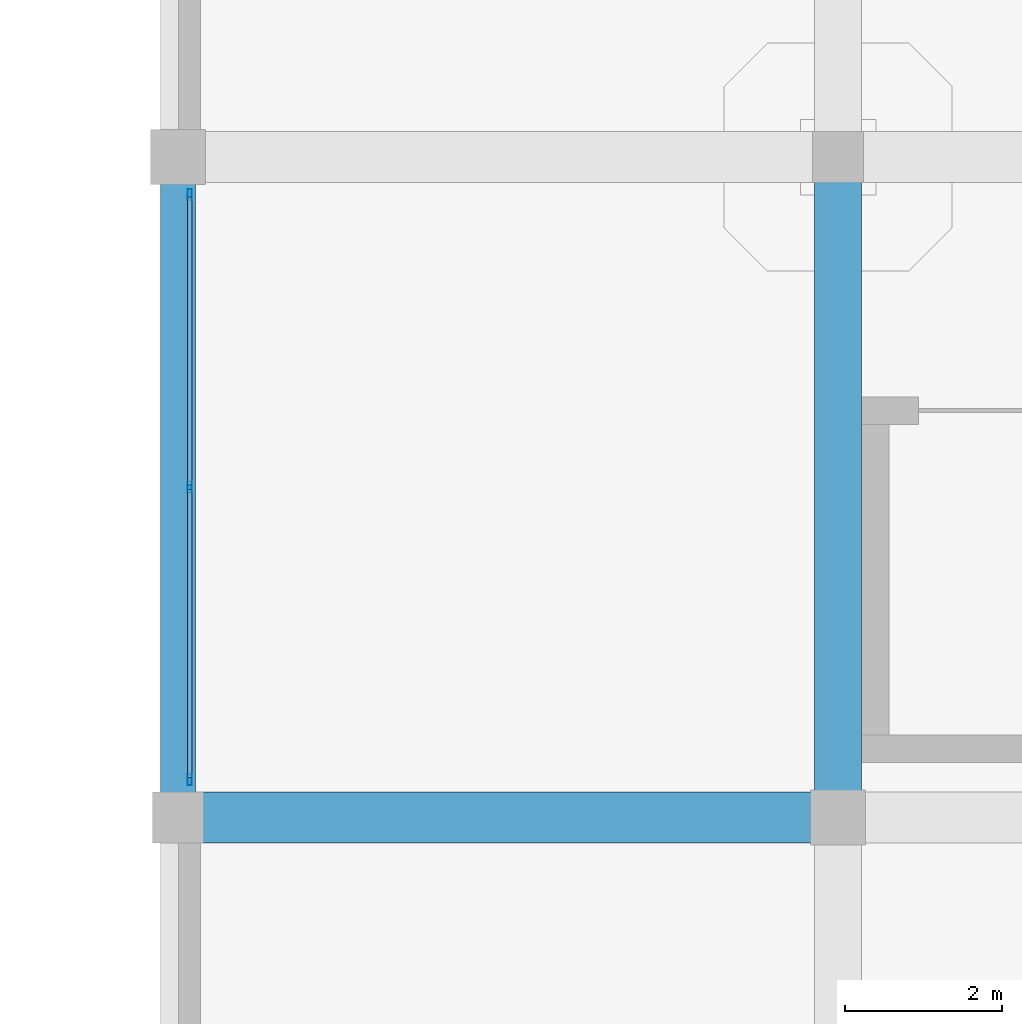
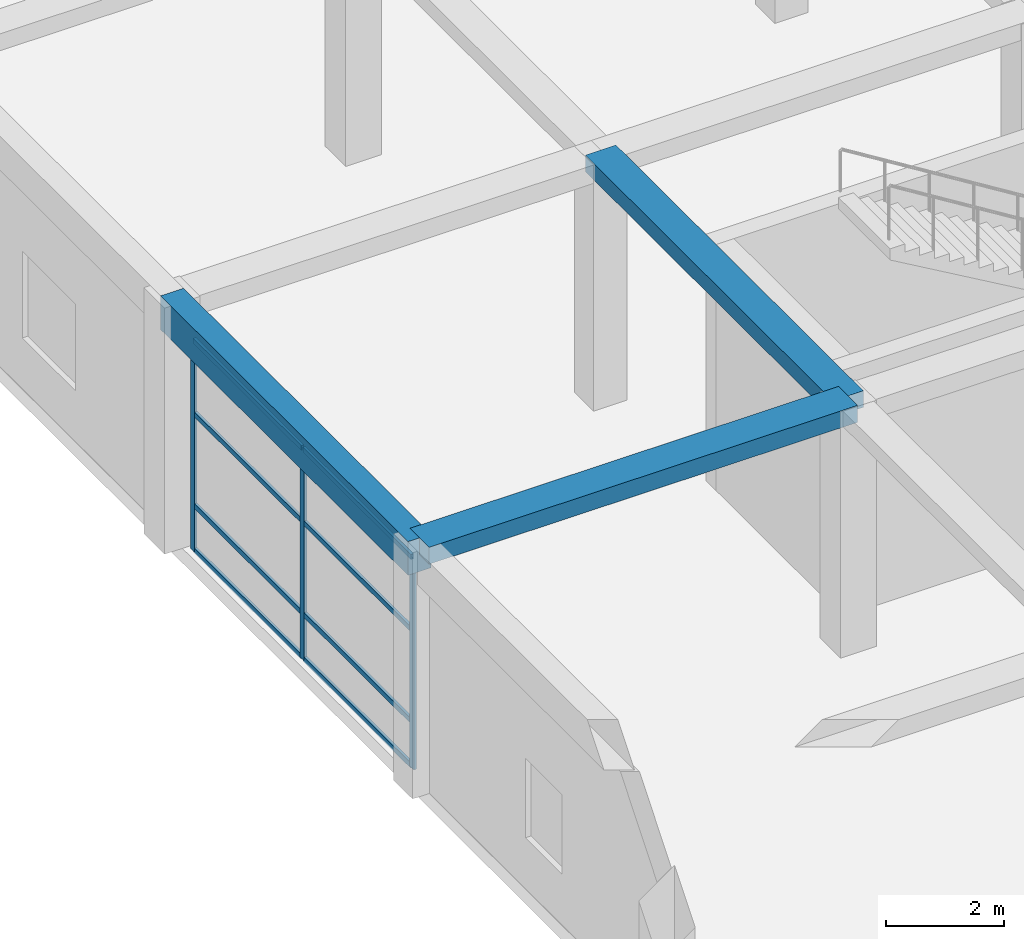
# One storey, part 21 of 65: 11 members, 3 beams, 1 element without a shape of its own.
"""IFC4 building model written with IfcOpenShell, lengths in metres."""

from ifc_helpers import new_model, si_unit, direction, frame, origin, origin_2d, place, context, subcontext, project, spatial, rectangle, hollow_rectangle, extrude, material, material_profile, profile_set, type_object, element, aggregate, save


model = new_model("IFC4")

# Units and contexts
model_context = context("Model", 3, precision=1e-05, world=origin(), true_north=direction((0.0, 1.0)))
body_context = subcontext(model_context, "Body", "Model", "MODEL_VIEW")
ifc_project = project(units=[si_unit("LENGTHUNIT", "METRE"), si_unit("AREAUNIT", "SQUARE_METRE"), si_unit("VOLUMEUNIT", "CUBIC_METRE"), si_unit("PLANEANGLEUNIT", "RADIAN"), si_unit("MASSUNIT", "GRAM", prefix="KILO")], contexts=[model_context])

# Site, building, storey
site_placement = place(None, origin())
site = spatial("IfcSite", under=ifc_project, at=site_placement, CompositionType="ELEMENT")
building_placement = place(site_placement, origin())
building = spatial("IfcBuilding", under=site, at=building_placement, Name="Almacenes y Pasaje Nevantli", CompositionType="ELEMENT")
storey_placement = place(building_placement, frame((0.0, 0.0, 16.800048828125)))
storey = spatial("IfcBuildingStorey", under=building, at=storey_placement, Name="L04", CompositionType="ELEMENT", Elevation=16.800048828125)

# Beams
ifc_material_1 = material(Name="Concrete C35/45", Category="concrete")
ifc_material_profile_1 = material_profile(ifc_material_1, rectangle(XDim=0.449951171875, YDim=0.699951171875, at=origin_2d()), Name="RC-BM-450x700")
ifc_profile_set_1 = profile_set([ifc_material_profile_1], Name="Concrete C35/45")
beam_type_1 = type_object("IfcBeamType", Name="BM-RC-450x700", PredefinedType="SPANDREL", material=ifc_profile_set_1)
beam_1_placement = place(storey_placement, frame((0.0, 92.39990234375, 4.75), z_axis=(0.0, 1.0, 0.0), x_axis=(-1.0, 0.0, 0.0)))
element("IfcBeam", 1, at=beam_1_placement, inside=storey, type_object=beam_type_1, Name="L04 North-South Reinforced Concrete Beam #3001", PredefinedType="SPANDREL", context=body_context, shape_type="SweptSolid", body=[
    extrude(rectangle(XDim=0.449951171875, YDim=0.699951171875, at=origin_2d()), origin(), (0.0, 0.0, 1.0), 8.400146484375),
])
ifc_material_2 = material(Name="Concrete C35/45", Category="concrete")
ifc_material_profile_2 = material_profile(ifc_material_2, rectangle(XDim=0.60009765625, YDim=0.340087890625, at=origin_2d()), Name="RC-BM-600x340")
ifc_profile_set_2 = profile_set([ifc_material_profile_2], Name="Concrete C35/45")
beam_type_2 = type_object("IfcBeamType", Name="BM-RC-600x340", PredefinedType="BEAM", material=ifc_profile_set_2)
beam_2_placement = place(storey_placement, frame((8.39990234375, 92.39990234375, 4.929931640625), z_axis=(0.0, 1.0, 0.0), x_axis=(-1.0, 0.0, 0.0)))
element("IfcBeam", 2, at=beam_2_placement, inside=storey, type_object=beam_type_2, Name="L04 North-South Reinforced Concrete Beam #3012", PredefinedType="BEAM", context=body_context, shape_type="SweptSolid", body=[
    extrude(rectangle(XDim=0.60009765625, YDim=0.340087890625, at=origin_2d()), origin(), (0.0, 0.0, 1.0), 8.400146484375),
])
ifc_material_3 = material(Name="Concrete C35/45", Category="concrete")
ifc_material_profile_3 = material_profile(ifc_material_3, rectangle(XDim=0.64990234375, YDim=0.35009765625, at=origin_2d()), Name="RC-BM-650x350")
ifc_profile_set_3 = profile_set([ifc_material_profile_3], Name="Concrete C35/45")
beam_type_3 = type_object("IfcBeamType", Name="BM-RC-650x350", PredefinedType="BEAM", material=ifc_profile_set_3)
beam_3_placement = place(storey_placement, frame((0.0, 92.39990234375, 4.925048828125), z_axis=(1.0, 0.0, 0.0), x_axis=(0.0, 1.0, 0.0)))
element("IfcBeam", 3, at=beam_3_placement, inside=storey, type_object=beam_type_3, Name="L04 East-West Reinforced Concrete Beam #2922", PredefinedType="BEAM", context=body_context, shape_type="SweptSolid", body=[
    extrude(rectangle(XDim=0.64990234375, YDim=0.35009765625, at=origin_2d()), origin(), (0.0, 0.0, 1.0), 8.39990234375),
])

# Curtain wall, members
ifc_material_4 = material(Name="Thermally Broken Aluminium and Low-E Glass", Category="aluminium")
curtain_wall_type = type_object("IfcCurtainWallType", Name="CW-UNIT-PODIUM", PredefinedType="USERDEFINED", material=ifc_material_4)
curtain_wall_placement = place(storey_placement, origin())
curtain_wall = element("IfcCurtainWall", 4, at=curtain_wall_placement, inside=storey, type_object=curtain_wall_type, Name="L04 West Avenue Unitized Curtain Wall Bay 12", ObjectType="UNITIZED CURTAIN WALL", PredefinedType="USERDEFINED")
ifc_material_5 = material(Name="Thermally Broken Anodized Aluminium", Category="aluminium")
ifc_material_profile_4 = material_profile(ifc_material_5, hollow_rectangle(XDim=0.054931640625, YDim=0.139892578125, WallThickness=0.00341796875, at=origin_2d()), Name="ALU-MUL-55x140")
ifc_profile_set_4 = profile_set([ifc_material_profile_4], Name="Thermally Broken Anodized Aluminium")
member_type_1 = type_object("IfcMemberType", Name="CW-MUL-160", PredefinedType="MULLION", material=ifc_profile_set_4)
member_1_placement = place(storey_placement, frame((0.14990234375, 92.87744140625, 0.0), z_axis=(0.0, 0.0, 1.0), x_axis=(-1.0, 0.0, 0.0)))
member_1 = element("IfcMember", 5, at=member_1_placement, type_object=member_type_1, Name="CW-L04-077 mullion 1", PredefinedType="MULLION", context=body_context, shape_type="SweptSolid", body=[
    extrude(hollow_rectangle(XDim=0.054931640625, YDim=0.139892578125, WallThickness=0.00341796875, at=origin_2d()), origin(), (0.0, 0.0, 1.0), 4.3798828125),
])
member_2_placement = place(storey_placement, frame((0.14990234375, 96.60009765625, 0.0), z_axis=(0.0, 0.0, 1.0), x_axis=(-1.0, 0.0, 0.0)))
member_2 = element("IfcMember", 6, at=member_2_placement, type_object=member_type_1, Name="CW-L04-077 mullion 2", PredefinedType="MULLION", context=body_context, shape_type="SweptSolid", body=[
    extrude(hollow_rectangle(XDim=0.054931640625, YDim=0.139892578125, WallThickness=0.00341796875, at=origin_2d()), origin(), (0.0, 0.0, 1.0), 4.3798828125),
])
member_3_placement = place(storey_placement, frame((0.14990234375, 100.322509765625, 0.0), z_axis=(0.0, 0.0, 1.0), x_axis=(-1.0, 0.0, 0.0)))
member_3 = element("IfcMember", 7, at=member_3_placement, type_object=member_type_1, Name="CW-L04-077 mullion 3", PredefinedType="MULLION", context=body_context, shape_type="SweptSolid", body=[
    extrude(hollow_rectangle(XDim=0.054931640625, YDim=0.139892578125, WallThickness=0.00341796875, at=origin_2d()), origin(), (0.0, 0.0, 1.0), 4.3798828125),
])
ifc_material_6 = material(Name="Thermally Broken Anodized Aluminium", Category="aluminium")
ifc_material_profile_5 = material_profile(ifc_material_6, hollow_rectangle(XDim=0.054931640625, YDim=0.10498046875, WallThickness=0.003173828125, at=origin_2d()), Name="ALU-TRN-55x105")
ifc_profile_set_5 = profile_set([ifc_material_profile_5], Name="Thermally Broken Anodized Aluminium")
member_type_2 = type_object("IfcMemberType", Name="CW-TRN-120", PredefinedType="USERDEFINED", material=ifc_profile_set_5)
member_4_placement = place(storey_placement, frame((0.14990234375, 92.905029296875, 0.02734375), z_axis=(0.0, 1.0, 0.0), x_axis=(-1.0, 0.0, 0.0)))
member_4 = element("IfcMember", 8, at=member_4_placement, type_object=member_type_2, Name="CW-L04-077 transom 1.1", ObjectType="TRANSOM", PredefinedType="USERDEFINED", context=body_context, shape_type="SweptSolid", body=[
    extrude(hollow_rectangle(XDim=0.054931640625, YDim=0.10498046875, WallThickness=0.003173828125, at=origin_2d()), origin(), (0.0, 0.0, 1.0), 3.66748046875),
])
member_5_placement = place(storey_placement, frame((0.14990234375, 92.905029296875, 0.949951171875), z_axis=(0.0, 1.0, 0.0), x_axis=(-1.0, 0.0, 0.0)))
member_5 = element("IfcMember", 9, at=member_5_placement, type_object=member_type_2, Name="CW-L04-077 transom 1.2", ObjectType="TRANSOM", PredefinedType="USERDEFINED", context=body_context, shape_type="SweptSolid", body=[
    extrude(hollow_rectangle(XDim=0.054931640625, YDim=0.10498046875, WallThickness=0.003173828125, at=origin_2d()), origin(), (0.0, 0.0, 1.0), 3.66748046875),
])
member_6_placement = place(storey_placement, frame((0.14990234375, 92.905029296875, 2.849853515625), z_axis=(0.0, 1.0, 0.0), x_axis=(-1.0, 0.0, 0.0)))
member_6 = element("IfcMember", 10, at=member_6_placement, type_object=member_type_2, Name="CW-L04-077 transom 1.3", ObjectType="TRANSOM", PredefinedType="USERDEFINED", context=body_context, shape_type="SweptSolid", body=[
    extrude(hollow_rectangle(XDim=0.054931640625, YDim=0.10498046875, WallThickness=0.003173828125, at=origin_2d()), origin(), (0.0, 0.0, 1.0), 3.66748046875),
])
member_7_placement = place(storey_placement, frame((0.14990234375, 92.905029296875, 4.3525390625), z_axis=(0.0, 1.0, 0.0), x_axis=(-1.0, 0.0, 0.0)))
member_7 = element("IfcMember", 11, at=member_7_placement, type_object=member_type_2, Name="CW-L04-077 transom 1.4", ObjectType="TRANSOM", PredefinedType="USERDEFINED", context=body_context, shape_type="SweptSolid", body=[
    extrude(hollow_rectangle(XDim=0.054931640625, YDim=0.10498046875, WallThickness=0.003173828125, at=origin_2d()), origin(), (0.0, 0.0, 1.0), 3.66748046875),
])
member_8_placement = place(storey_placement, frame((0.14990234375, 96.62744140625, 0.02734375), z_axis=(0.0, 1.0, 0.0), x_axis=(-1.0, 0.0, 0.0)))
member_8 = element("IfcMember", 12, at=member_8_placement, type_object=member_type_2, Name="CW-L04-077 transom 2.1", ObjectType="TRANSOM", PredefinedType="USERDEFINED", context=body_context, shape_type="SweptSolid", body=[
    extrude(hollow_rectangle(XDim=0.054931640625, YDim=0.10498046875, WallThickness=0.003173828125, at=origin_2d()), origin(), (0.0, 0.0, 1.0), 3.66748046875),
])
member_9_placement = place(storey_placement, frame((0.14990234375, 96.62744140625, 0.949951171875), z_axis=(0.0, 1.0, 0.0), x_axis=(-1.0, 0.0, 0.0)))
member_9 = element("IfcMember", 13, at=member_9_placement, type_object=member_type_2, Name="CW-L04-077 transom 2.2", ObjectType="TRANSOM", PredefinedType="USERDEFINED", context=body_context, shape_type="SweptSolid", body=[
    extrude(hollow_rectangle(XDim=0.054931640625, YDim=0.10498046875, WallThickness=0.003173828125, at=origin_2d()), origin(), (0.0, 0.0, 1.0), 3.66748046875),
])
member_10_placement = place(storey_placement, frame((0.14990234375, 96.62744140625, 2.849853515625), z_axis=(0.0, 1.0, 0.0), x_axis=(-1.0, 0.0, 0.0)))
member_10 = element("IfcMember", 14, at=member_10_placement, type_object=member_type_2, Name="CW-L04-077 transom 2.3", ObjectType="TRANSOM", PredefinedType="USERDEFINED", context=body_context, shape_type="SweptSolid", body=[
    extrude(hollow_rectangle(XDim=0.054931640625, YDim=0.10498046875, WallThickness=0.003173828125, at=origin_2d()), origin(), (0.0, 0.0, 1.0), 3.66748046875),
])
member_11_placement = place(storey_placement, frame((0.14990234375, 96.62744140625, 4.3525390625), z_axis=(0.0, 1.0, 0.0), x_axis=(-1.0, 0.0, 0.0)))
member_11 = element("IfcMember", 15, at=member_11_placement, type_object=member_type_2, Name="CW-L04-077 transom 2.4", ObjectType="TRANSOM", PredefinedType="USERDEFINED", context=body_context, shape_type="SweptSolid", body=[
    extrude(hollow_rectangle(XDim=0.054931640625, YDim=0.10498046875, WallThickness=0.003173828125, at=origin_2d()), origin(), (0.0, 0.0, 1.0), 3.66748046875),
])
aggregate(curtain_wall, [member_1, member_2, member_3, member_4, member_5, member_6, member_7, member_8, member_9, member_10, member_11])

save(model, "model.ifc")
